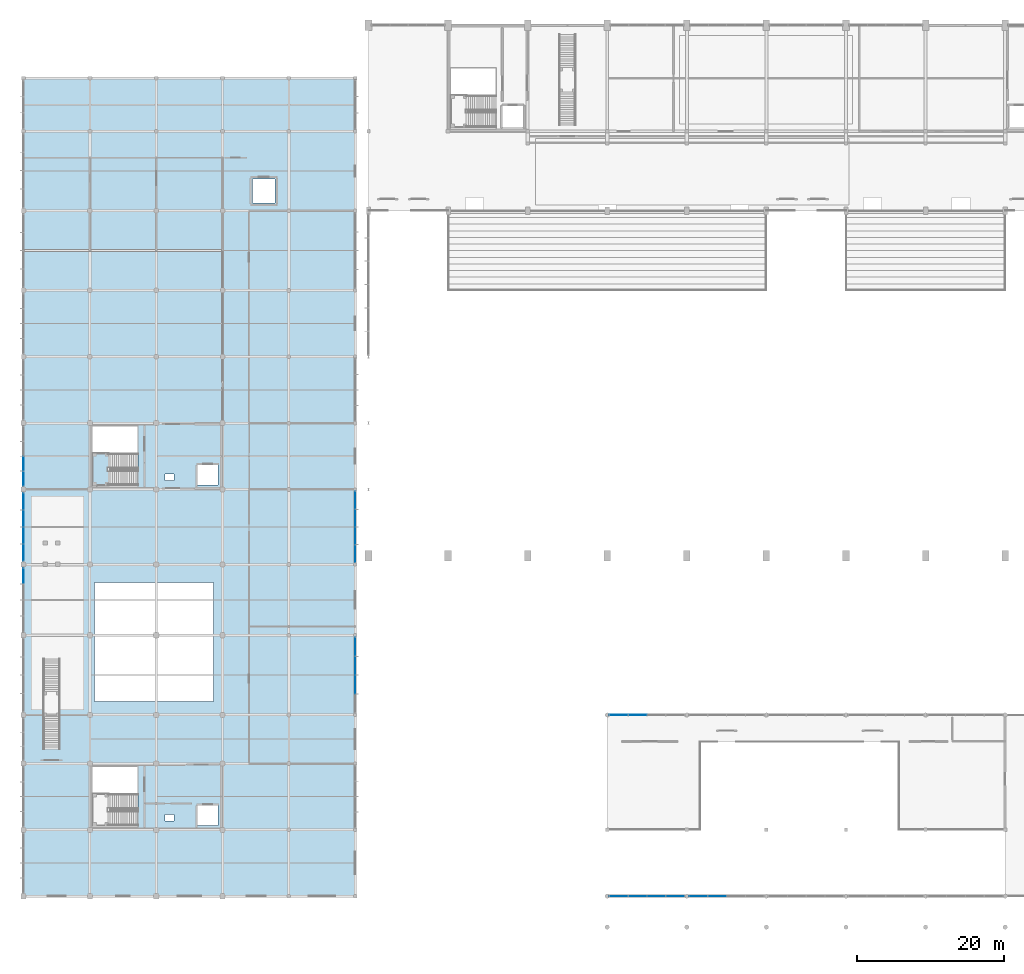
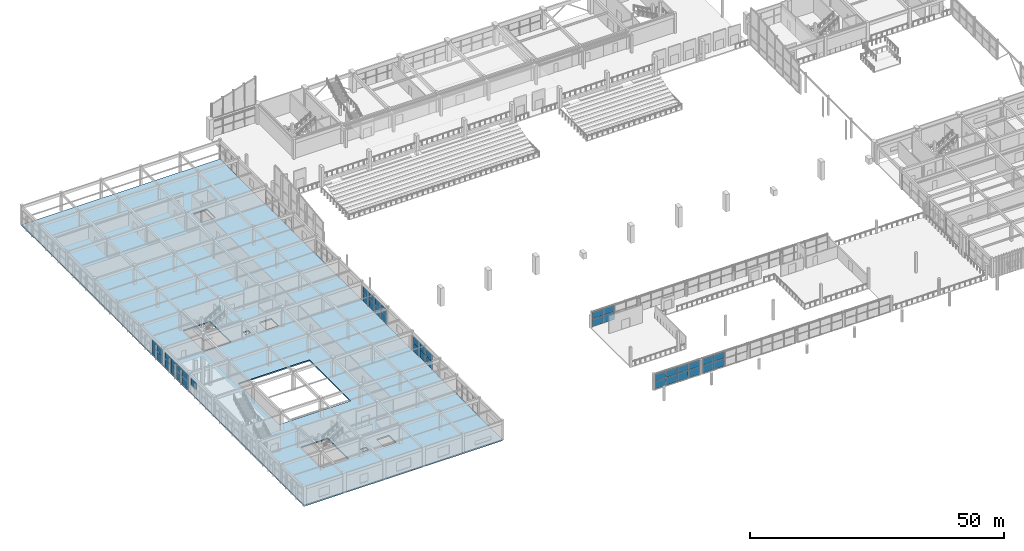
# One storey, part 39 of 74: 43 plates, 2 slabs, 9 elements without a shape of their own.
"""IFC4 building model written with IfcOpenShell, lengths in metres."""

from ifc_helpers import new_model, si_unit, direction, frame, origin, place, context, subcontext, project, spatial, polyline, outline, extrude, material, layer, layer_set, type_object, element, aggregate, save


model = new_model("IFC4")

# Units and contexts
model_context = context("Model", 3, precision=1e-05, world=origin(), true_north=direction((0.0, 1.0)))
body_context = subcontext(model_context, "Body", "Model", "MODEL_VIEW")
ifc_project = project(units=[si_unit("LENGTHUNIT", "METRE"), si_unit("AREAUNIT", "SQUARE_METRE"), si_unit("VOLUMEUNIT", "CUBIC_METRE"), si_unit("PLANEANGLEUNIT", "RADIAN"), si_unit("MASSUNIT", "GRAM", prefix="KILO")], contexts=[model_context])

# Site, building, storey
site_placement = place(None, origin())
site = spatial("IfcSite", under=ifc_project, at=site_placement, CompositionType="ELEMENT")
building_placement = place(site_placement, origin())
building = spatial("IfcBuilding", under=site, at=building_placement, Name="Suirenkawa Promenade Aquatics Centre", CompositionType="ELEMENT")
storey_placement = place(building_placement, frame((0.0, 0.0, 4.800048828125)))
storey = spatial("IfcBuildingStorey", under=building, at=storey_placement, Name="L01", CompositionType="ELEMENT", Elevation=4.800048828125)

# Curtain wall, plates
ifc_material_1 = material(Name="Anodised aluminium 6063-T6", Category="aluminium")
curtain_wall_type_1 = type_object("IfcCurtainWallType", Name="CWAT-V3SL1-24", PredefinedType="NOTDEFINED", material=ifc_material_1)
curtain_wall_1_placement = place(storey_placement, origin())
curtain_wall_1 = element("IfcCurtainWall", 1, at=curtain_wall_1_placement, inside=storey, type_object=curtain_wall_type_1, Name="Curtain wall CWA-24 CW-054", PredefinedType="NOTDEFINED")
ifc_material_2 = material(Name="Low-E thermally broken double glazing", Category="glass")
ifc_layer_1 = layer(ifc_material_2, 0.0419921875, Name="Low-E thermally broken double glazing", Category="glass")
ifc_layer_set_1 = layer_set([ifc_layer_1], Name="Low-E thermally broken double glazing")
plate_type_1 = type_object("IfcPlateType", Name="CWP-FOYER-42", PredefinedType="CURTAIN_PANEL", material=ifc_layer_set_1)
plate_1_placement = place(storey_placement, frame((89.700927734375, 4.199951171875, 0.0400390625), z_axis=(0.0, 0.0, 1.0), x_axis=(-1.0, 0.0, 0.0)))
plate_1 = element("IfcPlate", 2, at=plate_1_placement, type_object=plate_type_1, Name="Glazed panel CP-04 CWP-01071", PredefinedType="CURTAIN_PANEL", context=body_context, shape_type="SweptSolid", body=[
    extrude(outline(polyline([(0.0400390625, 0.0), (2.510498046875, 0.0), (2.510498046875, 1.81982421875), (0.0400390625, 1.81982421875), (0.0400390625, 0.0)])), frame((0.0, 0.02099609375, 0.0), z_axis=(0.0, -1.0, 0.0), x_axis=(1.0, 0.0, 0.0)), (0.0, 0.0, 1.0), 0.0419921875),
])
plate_2_placement = place(storey_placement, frame((89.700927734375, 4.199951171875, 1.93994140625), z_axis=(0.0, 0.0, 1.0), x_axis=(-1.0, 0.0, 0.0)))
plate_2 = element("IfcPlate", 3, at=plate_2_placement, type_object=plate_type_1, Name="Top glazed panel CP-04 CWP-01072", PredefinedType="CURTAIN_PANEL", context=body_context, shape_type="SweptSolid", body=[
    extrude(outline(polyline([(0.0400390625, 0.0), (2.510498046875, 0.0), (2.510498046875, 1.5400390625), (0.0400390625, 1.5400390625), (0.0400390625, 0.0)])), frame((0.0, 0.02099609375, 0.0), z_axis=(0.0, -1.0, 0.0), x_axis=(1.0, 0.0, 0.0)), (0.0, 0.0, 1.0), 0.0419921875),
])
plate_3_placement = place(storey_placement, frame((87.150390625, 4.199951171875, 0.0400390625), z_axis=(0.0, 0.0, 1.0), x_axis=(-1.0, 0.0, 0.0)))
plate_3 = element("IfcPlate", 4, at=plate_3_placement, type_object=plate_type_1, Name="Glazed panel CP-04 CWP-01073", PredefinedType="CURTAIN_PANEL", context=body_context, shape_type="SweptSolid", body=[
    extrude(outline(polyline([(0.0400390625, 0.0), (2.510498046875, 0.0), (2.510498046875, 1.81982421875), (0.0400390625, 1.81982421875), (0.0400390625, 0.0)])), frame((0.0, 0.02099609375, 0.0), z_axis=(0.0, -1.0, 0.0), x_axis=(1.0, 0.0, 0.0)), (0.0, 0.0, 1.0), 0.0419921875),
])
plate_4_placement = place(storey_placement, frame((87.150390625, 4.199951171875, 1.93994140625), z_axis=(0.0, 0.0, 1.0), x_axis=(-1.0, 0.0, 0.0)))
plate_4 = element("IfcPlate", 5, at=plate_4_placement, type_object=plate_type_1, Name="Top glazed panel CP-04 CWP-01074", PredefinedType="CURTAIN_PANEL", context=body_context, shape_type="SweptSolid", body=[
    extrude(outline(polyline([(0.0400390625, 0.0), (2.510498046875, 0.0), (2.510498046875, 1.5400390625), (0.0400390625, 1.5400390625), (0.0400390625, 0.0)])), frame((0.0, 0.02099609375, 0.0), z_axis=(0.0, -1.0, 0.0), x_axis=(1.0, 0.0, 0.0)), (0.0, 0.0, 1.0), 0.0419921875),
])
plate_5_placement = place(storey_placement, frame((84.60009765625, 4.199951171875, 0.0400390625), z_axis=(0.0, 0.0, 1.0), x_axis=(-1.0, 0.0, 0.0)))
plate_5 = element("IfcPlate", 6, at=plate_5_placement, type_object=plate_type_1, Name="Glazed panel CP-04 CWP-01075", PredefinedType="CURTAIN_PANEL", context=body_context, shape_type="SweptSolid", body=[
    extrude(outline(polyline([(0.0400390625, 0.0), (2.510498046875, 0.0), (2.510498046875, 1.81982421875), (0.0400390625, 1.81982421875), (0.0400390625, 0.0)])), frame((0.0, 0.02099609375, 0.0), z_axis=(0.0, -1.0, 0.0), x_axis=(1.0, 0.0, 0.0)), (0.0, 0.0, 1.0), 0.0419921875),
])
plate_6_placement = place(storey_placement, frame((84.60009765625, 4.199951171875, 1.93994140625), z_axis=(0.0, 0.0, 1.0), x_axis=(-1.0, 0.0, 0.0)))
plate_6 = element("IfcPlate", 7, at=plate_6_placement, type_object=plate_type_1, Name="Top glazed panel CP-04 CWP-01076", PredefinedType="CURTAIN_PANEL", context=body_context, shape_type="SweptSolid", body=[
    extrude(outline(polyline([(0.0400390625, 0.0), (2.510498046875, 0.0), (2.510498046875, 1.5400390625), (0.0400390625, 1.5400390625), (0.0400390625, 0.0)])), frame((0.0, 0.02099609375, 0.0), z_axis=(0.0, -1.0, 0.0), x_axis=(1.0, 0.0, 0.0)), (0.0, 0.0, 1.0), 0.0419921875),
])
plate_7_placement = place(storey_placement, frame((82.049560546875, 4.199951171875, 0.0400390625), z_axis=(0.0, 0.0, 1.0), x_axis=(-1.0, 0.0, 0.0)))
plate_7 = element("IfcPlate", 8, at=plate_7_placement, type_object=plate_type_1, Name="Glazed panel CP-04 CWP-01077", PredefinedType="CURTAIN_PANEL", context=body_context, shape_type="SweptSolid", body=[
    extrude(outline(polyline([(0.0400390625, 0.0), (2.510498046875, 0.0), (2.510498046875, 1.81982421875), (0.0400390625, 1.81982421875), (0.0400390625, 0.0)])), frame((0.0, 0.02099609375, 0.0), z_axis=(0.0, -1.0, 0.0), x_axis=(1.0, 0.0, 0.0)), (0.0, 0.0, 1.0), 0.0419921875),
])
plate_8_placement = place(storey_placement, frame((82.049560546875, 4.199951171875, 1.93994140625), z_axis=(0.0, 0.0, 1.0), x_axis=(-1.0, 0.0, 0.0)))
plate_8 = element("IfcPlate", 9, at=plate_8_placement, type_object=plate_type_1, Name="Top glazed panel CP-04 CWP-01078", PredefinedType="CURTAIN_PANEL", context=body_context, shape_type="SweptSolid", body=[
    extrude(outline(polyline([(0.0400390625, 0.0), (2.510498046875, 0.0), (2.510498046875, 1.5400390625), (0.0400390625, 1.5400390625), (0.0400390625, 0.0)])), frame((0.0, 0.02099609375, 0.0), z_axis=(0.0, -1.0, 0.0), x_axis=(1.0, 0.0, 0.0)), (0.0, 0.0, 1.0), 0.0419921875),
])
aggregate(curtain_wall_1, [plate_1, plate_2, plate_3, plate_4, plate_5, plate_6, plate_7, plate_8])

curtain_wall_type_2 = type_object("IfcCurtainWallType", Name="CWAT-V3NL1-25", PredefinedType="NOTDEFINED", material=ifc_material_1)
curtain_wall_2_placement = place(storey_placement, origin())
curtain_wall_2 = element("IfcCurtainWall", 10, at=curtain_wall_2_placement, inside=storey, type_object=curtain_wall_type_2, Name="Curtain wall CWA-25 CW-055", PredefinedType="NOTDEFINED")
plate_9_placement = place(storey_placement, frame((79.4990234375, 28.800048828125, 0.0400390625), z_axis=(0.0, 0.0, 1.0), x_axis=(1.0, 0.0, 0.0)))
plate_9 = element("IfcPlate", 11, at=plate_9_placement, type_object=plate_type_1, Name="Glazed panel CP-04 CWP-01093", PredefinedType="CURTAIN_PANEL", context=body_context, shape_type="SweptSolid", body=[
    extrude(outline(polyline([(0.0400390625, 0.0), (2.510498046875, 0.0), (2.510498046875, 1.81982421875), (0.0400390625, 1.81982421875), (0.0400390625, 0.0)])), frame((0.0, 0.02099609375, 0.0), z_axis=(0.0, -1.0, 0.0), x_axis=(1.0, 0.0, 0.0)), (0.0, 0.0, 1.0), 0.0419921875),
])
plate_10_placement = place(storey_placement, frame((79.4990234375, 28.800048828125, 1.93994140625), z_axis=(0.0, 0.0, 1.0), x_axis=(1.0, 0.0, 0.0)))
plate_10 = element("IfcPlate", 12, at=plate_10_placement, type_object=plate_type_1, Name="Top glazed panel CP-04 CWP-01094", PredefinedType="CURTAIN_PANEL", context=body_context, shape_type="SweptSolid", body=[
    extrude(outline(polyline([(0.0400390625, 0.0), (2.510498046875, 0.0), (2.510498046875, 1.5400390625), (0.0400390625, 1.5400390625), (0.0400390625, 0.0)])), frame((0.0, 0.02099609375, 0.0), z_axis=(0.0, -1.0, 0.0), x_axis=(1.0, 0.0, 0.0)), (0.0, 0.0, 1.0), 0.0419921875),
])
plate_11_placement = place(storey_placement, frame((82.049560546875, 28.800048828125, 0.0400390625), z_axis=(0.0, 0.0, 1.0), x_axis=(1.0, 0.0, 0.0)))
plate_11 = element("IfcPlate", 13, at=plate_11_placement, type_object=plate_type_1, Name="Glazed panel CP-04 CWP-01095", PredefinedType="CURTAIN_PANEL", context=body_context, shape_type="SweptSolid", body=[
    extrude(outline(polyline([(0.0400390625, 0.0), (2.510498046875, 0.0), (2.510498046875, 1.81982421875), (0.0400390625, 1.81982421875), (0.0400390625, 0.0)])), frame((0.0, 0.02099609375, 0.0), z_axis=(0.0, -1.0, 0.0), x_axis=(1.0, 0.0, 0.0)), (0.0, 0.0, 1.0), 0.0419921875),
])
plate_12_placement = place(storey_placement, frame((82.049560546875, 28.800048828125, 1.93994140625), z_axis=(0.0, 0.0, 1.0), x_axis=(1.0, 0.0, 0.0)))
plate_12 = element("IfcPlate", 14, at=plate_12_placement, type_object=plate_type_1, Name="Top glazed panel CP-04 CWP-01096", PredefinedType="CURTAIN_PANEL", context=body_context, shape_type="SweptSolid", body=[
    extrude(outline(polyline([(0.0400390625, 0.0), (2.510498046875, 0.0), (2.510498046875, 1.5400390625), (0.0400390625, 1.5400390625), (0.0400390625, 0.0)])), frame((0.0, 0.02099609375, 0.0), z_axis=(0.0, -1.0, 0.0), x_axis=(1.0, 0.0, 0.0)), (0.0, 0.0, 1.0), 0.0419921875),
])
aggregate(curtain_wall_2, [plate_9, plate_10, plate_11, plate_12])

curtain_wall_3_placement = place(storey_placement, origin())
curtain_wall_3 = element("IfcCurtainWall", 15, at=curtain_wall_3_placement, inside=storey, type_object=curtain_wall_type_1, Name="Curtain wall CWA-24 CW-056", PredefinedType="NOTDEFINED")
plate_13_placement = place(storey_placement, frame((95.39990234375, 4.199951171875, 0.0400390625), z_axis=(0.0, 0.0, 1.0), x_axis=(-1.0, 0.0, 0.0)))
plate_13 = element("IfcPlate", 16, at=plate_13_placement, type_object=plate_type_1, Name="Glazed panel CP-04 CWP-01119", PredefinedType="CURTAIN_PANEL", context=body_context, shape_type="SweptSolid", body=[
    extrude(outline(polyline([(0.0400390625, 0.0), (2.510498046875, 0.0), (2.510498046875, 1.81982421875), (0.0400390625, 1.81982421875), (0.0400390625, 0.0)])), frame((0.0, 0.02099609375, 0.0), z_axis=(0.0, -1.0, 0.0), x_axis=(1.0, 0.0, 0.0)), (0.0, 0.0, 1.0), 0.0419921875),
])
plate_14_placement = place(storey_placement, frame((95.39990234375, 4.199951171875, 1.93994140625), z_axis=(0.0, 0.0, 1.0), x_axis=(-1.0, 0.0, 0.0)))
plate_14 = element("IfcPlate", 17, at=plate_14_placement, type_object=plate_type_1, Name="Top glazed panel CP-04 CWP-01120", PredefinedType="CURTAIN_PANEL", context=body_context, shape_type="SweptSolid", body=[
    extrude(outline(polyline([(0.0400390625, 0.0), (2.510498046875, 0.0), (2.510498046875, 1.5400390625), (0.0400390625, 1.5400390625), (0.0400390625, 0.0)])), frame((0.0, 0.02099609375, 0.0), z_axis=(0.0, -1.0, 0.0), x_axis=(1.0, 0.0, 0.0)), (0.0, 0.0, 1.0), 0.0419921875),
])
plate_15_placement = place(storey_placement, frame((92.849609375, 4.199951171875, 0.0400390625), z_axis=(0.0, 0.0, 1.0), x_axis=(-1.0, 0.0, 0.0)))
plate_15 = element("IfcPlate", 18, at=plate_15_placement, type_object=plate_type_1, Name="Glazed panel CP-04 CWP-01121", PredefinedType="CURTAIN_PANEL", context=body_context, shape_type="SweptSolid", body=[
    extrude(outline(polyline([(0.0400390625, 0.0), (2.510498046875, 0.0), (2.510498046875, 1.81982421875), (0.0400390625, 1.81982421875), (0.0400390625, 0.0)])), frame((0.0, 0.02099609375, 0.0), z_axis=(0.0, -1.0, 0.0), x_axis=(1.0, 0.0, 0.0)), (0.0, 0.0, 1.0), 0.0419921875),
])
plate_16_placement = place(storey_placement, frame((92.849609375, 4.199951171875, 1.93994140625), z_axis=(0.0, 0.0, 1.0), x_axis=(-1.0, 0.0, 0.0)))
plate_16 = element("IfcPlate", 19, at=plate_16_placement, type_object=plate_type_1, Name="Top glazed panel CP-04 CWP-01122", PredefinedType="CURTAIN_PANEL", context=body_context, shape_type="SweptSolid", body=[
    extrude(outline(polyline([(0.0400390625, 0.0), (2.510498046875, 0.0), (2.510498046875, 1.5400390625), (0.0400390625, 1.5400390625), (0.0400390625, 0.0)])), frame((0.0, 0.02099609375, 0.0), z_axis=(0.0, -1.0, 0.0), x_axis=(1.0, 0.0, 0.0)), (0.0, 0.0, 1.0), 0.0419921875),
])
aggregate(curtain_wall_3, [plate_13, plate_14, plate_15, plate_16])

curtain_wall_type_3 = type_object("IfcCurtainWallType", Name="CWAT-V5EL01-53", PredefinedType="NOTDEFINED", material=ifc_material_1)
curtain_wall_4_placement = place(storey_placement, origin())
curtain_wall_4 = element("IfcCurtainWall", 20, at=curtain_wall_4_placement, inside=storey, type_object=curtain_wall_type_3, Name="Curtain wall CWA-53 CW-100", PredefinedType="NOTDEFINED")
ifc_layer_2 = layer(ifc_material_2, 0.028076171875, Name="Low-E thermally broken double glazing", Category="glass")
ifc_layer_set_2 = layer_set([ifc_layer_2], Name="Low-E thermally broken double glazing")
plate_type_2 = type_object("IfcPlateType", Name="CWP-LOWE-28", PredefinedType="CURTAIN_PANEL", material=ifc_layer_set_2)
plate_17_placement = place(storey_placement, frame((45.0, 39.301025390625, 0.0400390625), z_axis=(0.0, 0.0, 1.0), x_axis=(0.0, -1.0, 0.0)))
plate_17 = element("IfcPlate", 21, at=plate_17_placement, type_object=plate_type_2, Name="Glazed panel CP-02 CWP-02003", PredefinedType="CURTAIN_PANEL", context=body_context, shape_type="SweptSolid", body=[
    extrude(outline(polyline([(0.0400390625, 0.0), (2.510498046875, 0.0), (2.510498046875, 1.869873046875), (0.0400390625, 1.869873046875), (0.0400390625, 0.0)])), frame((0.0, 0.01416015625, 0.0), z_axis=(0.0, -1.0, 0.0), x_axis=(1.0, 0.0, 0.0)), (0.0, 0.0, 1.0), 0.028076171875),
])
plate_18_placement = place(storey_placement, frame((45.0, 39.301025390625, 1.989990234375), z_axis=(0.0, 0.0, 1.0), x_axis=(0.0, -1.0, 0.0)))
plate_18 = element("IfcPlate", 22, at=plate_18_placement, type_object=plate_type_2, Name="Top glazed panel CP-02 CWP-02004", PredefinedType="CURTAIN_PANEL", context=body_context, shape_type="SweptSolid", body=[
    extrude(outline(polyline([(0.0400390625, 0.0), (2.510498046875, 0.0), (2.510498046875, 1.5400390625), (0.0400390625, 1.5400390625), (0.0400390625, 0.0)])), frame((0.0, 0.01416015625, 0.0), z_axis=(0.0, -1.0, 0.0), x_axis=(1.0, 0.0, 0.0)), (0.0, 0.0, 1.0), 0.028076171875),
])
plate_19_placement = place(storey_placement, frame((45.0, 36.75048828125, 0.0400390625), z_axis=(0.0, 0.0, 1.0), x_axis=(0.0, -1.0, 0.0)))
plate_19 = element("IfcPlate", 23, at=plate_19_placement, type_object=plate_type_2, Name="Glazed panel CP-02 CWP-02005", PredefinedType="CURTAIN_PANEL", context=body_context, shape_type="SweptSolid", body=[
    extrude(outline(polyline([(0.0400390625, 0.0), (2.510498046875, 0.0), (2.510498046875, 1.869873046875), (0.0400390625, 1.869873046875), (0.0400390625, 0.0)])), frame((0.0, 0.01416015625, 0.0), z_axis=(0.0, -1.0, 0.0), x_axis=(1.0, 0.0, 0.0)), (0.0, 0.0, 1.0), 0.028076171875),
])
plate_20_placement = place(storey_placement, frame((45.0, 36.75048828125, 1.989990234375), z_axis=(0.0, 0.0, 1.0), x_axis=(0.0, -1.0, 0.0)))
plate_20 = element("IfcPlate", 24, at=plate_20_placement, type_object=plate_type_2, Name="Top glazed panel CP-02 CWP-02006", PredefinedType="CURTAIN_PANEL", context=body_context, shape_type="SweptSolid", body=[
    extrude(outline(polyline([(0.0400390625, 0.0), (2.510498046875, 0.0), (2.510498046875, 1.5400390625), (0.0400390625, 1.5400390625), (0.0400390625, 0.0)])), frame((0.0, 0.01416015625, 0.0), z_axis=(0.0, -1.0, 0.0), x_axis=(1.0, 0.0, 0.0)), (0.0, 0.0, 1.0), 0.028076171875),
])
plate_21_placement = place(storey_placement, frame((45.0, 34.199951171875, 0.0400390625), z_axis=(0.0, 0.0, 1.0), x_axis=(0.0, -1.0, 0.0)))
plate_21 = element("IfcPlate", 25, at=plate_21_placement, type_object=plate_type_2, Name="Glazed panel CP-02 CWP-02007", PredefinedType="CURTAIN_PANEL", context=body_context, shape_type="SweptSolid", body=[
    extrude(outline(polyline([(0.0400390625, 0.0), (2.510498046875, 0.0), (2.510498046875, 1.869873046875), (0.0400390625, 1.869873046875), (0.0400390625, 0.0)])), frame((0.0, 0.01416015625, 0.0), z_axis=(0.0, -1.0, 0.0), x_axis=(1.0, 0.0, 0.0)), (0.0, 0.0, 1.0), 0.028076171875),
])
plate_22_placement = place(storey_placement, frame((45.0, 34.199951171875, 1.989990234375), z_axis=(0.0, 0.0, 1.0), x_axis=(0.0, -1.0, 0.0)))
plate_22 = element("IfcPlate", 26, at=plate_22_placement, type_object=plate_type_2, Name="Top glazed panel CP-02 CWP-02008", PredefinedType="CURTAIN_PANEL", context=body_context, shape_type="SweptSolid", body=[
    extrude(outline(polyline([(0.0400390625, 0.0), (2.510498046875, 0.0), (2.510498046875, 1.5400390625), (0.0400390625, 1.5400390625), (0.0400390625, 0.0)])), frame((0.0, 0.01416015625, 0.0), z_axis=(0.0, -1.0, 0.0), x_axis=(1.0, 0.0, 0.0)), (0.0, 0.0, 1.0), 0.028076171875),
])
aggregate(curtain_wall_4, [plate_17, plate_18, plate_19, plate_20, plate_21, plate_22])

curtain_wall_type_4 = type_object("IfcCurtainWallType", Name="CWAT-V5EL01-56", PredefinedType="NOTDEFINED", material=ifc_material_1)
curtain_wall_5_placement = place(storey_placement, origin())
curtain_wall_5 = element("IfcCurtainWall", 27, at=curtain_wall_5_placement, inside=storey, type_object=curtain_wall_type_4, Name="Curtain wall CWA-56 CW-103", PredefinedType="NOTDEFINED")
plate_23_placement = place(storey_placement, frame((45.0, 59.10107421875, 0.0400390625), z_axis=(0.0, 0.0, 1.0), x_axis=(0.0, -1.0, 0.0)))
plate_23 = element("IfcPlate", 28, at=plate_23_placement, type_object=plate_type_2, Name="Glazed panel CP-02 CWP-02069", PredefinedType="CURTAIN_PANEL", context=body_context, shape_type="SweptSolid", body=[
    extrude(outline(polyline([(0.0400390625, 0.0), (2.360595703125, 0.0), (2.360595703125, 1.869873046875), (0.0400390625, 1.869873046875), (0.0400390625, 0.0)])), frame((0.0, 0.01416015625, 0.0), z_axis=(0.0, -1.0, 0.0), x_axis=(1.0, 0.0, 0.0)), (0.0, 0.0, 1.0), 0.028076171875),
])
plate_24_placement = place(storey_placement, frame((45.0, 59.10107421875, 1.989990234375), z_axis=(0.0, 0.0, 1.0), x_axis=(0.0, -1.0, 0.0)))
plate_24 = element("IfcPlate", 29, at=plate_24_placement, type_object=plate_type_2, Name="Top glazed panel CP-02 CWP-02070", PredefinedType="CURTAIN_PANEL", context=body_context, shape_type="SweptSolid", body=[
    extrude(outline(polyline([(0.0400390625, 0.0), (2.360595703125, 0.0), (2.360595703125, 1.5400390625), (0.0400390625, 1.5400390625), (0.0400390625, 0.0)])), frame((0.0, 0.01416015625, 0.0), z_axis=(0.0, -1.0, 0.0), x_axis=(1.0, 0.0, 0.0)), (0.0, 0.0, 1.0), 0.028076171875),
])
plate_25_placement = place(storey_placement, frame((45.0, 56.700439453125, 0.0400390625), z_axis=(0.0, 0.0, 1.0), x_axis=(0.0, -1.0, 0.0)))
plate_25 = element("IfcPlate", 30, at=plate_25_placement, type_object=plate_type_2, Name="Glazed panel CP-02 CWP-02071", PredefinedType="CURTAIN_PANEL", context=body_context, shape_type="SweptSolid", body=[
    extrude(outline(polyline([(0.0400390625, 0.0), (2.360595703125, 0.0), (2.360595703125, 1.869873046875), (0.0400390625, 1.869873046875), (0.0400390625, 0.0)])), frame((0.0, 0.01416015625, 0.0), z_axis=(0.0, -1.0, 0.0), x_axis=(1.0, 0.0, 0.0)), (0.0, 0.0, 1.0), 0.028076171875),
])
plate_26_placement = place(storey_placement, frame((45.0, 56.700439453125, 1.989990234375), z_axis=(0.0, 0.0, 1.0), x_axis=(0.0, -1.0, 0.0)))
plate_26 = element("IfcPlate", 31, at=plate_26_placement, type_object=plate_type_2, Name="Top glazed panel CP-02 CWP-02072", PredefinedType="CURTAIN_PANEL", context=body_context, shape_type="SweptSolid", body=[
    extrude(outline(polyline([(0.0400390625, 0.0), (2.360595703125, 0.0), (2.360595703125, 1.5400390625), (0.0400390625, 1.5400390625), (0.0400390625, 0.0)])), frame((0.0, 0.01416015625, 0.0), z_axis=(0.0, -1.0, 0.0), x_axis=(1.0, 0.0, 0.0)), (0.0, 0.0, 1.0), 0.028076171875),
])
plate_27_placement = place(storey_placement, frame((45.0, 54.300048828125, 0.0400390625), z_axis=(0.0, 0.0, 1.0), x_axis=(0.0, -1.0, 0.0)))
plate_27 = element("IfcPlate", 32, at=plate_27_placement, type_object=plate_type_2, Name="Glazed panel CP-02 CWP-02073", PredefinedType="CURTAIN_PANEL", context=body_context, shape_type="SweptSolid", body=[
    extrude(outline(polyline([(0.0400390625, 0.0), (2.360595703125, 0.0), (2.360595703125, 1.869873046875), (0.0400390625, 1.869873046875), (0.0400390625, 0.0)])), frame((0.0, 0.01416015625, 0.0), z_axis=(0.0, -1.0, 0.0), x_axis=(1.0, 0.0, 0.0)), (0.0, 0.0, 1.0), 0.028076171875),
])
plate_28_placement = place(storey_placement, frame((45.0, 54.300048828125, 1.989990234375), z_axis=(0.0, 0.0, 1.0), x_axis=(0.0, -1.0, 0.0)))
plate_28 = element("IfcPlate", 33, at=plate_28_placement, type_object=plate_type_2, Name="Top glazed panel CP-02 CWP-02074", PredefinedType="CURTAIN_PANEL", context=body_context, shape_type="SweptSolid", body=[
    extrude(outline(polyline([(0.0400390625, 0.0), (2.360595703125, 0.0), (2.360595703125, 1.5400390625), (0.0400390625, 1.5400390625), (0.0400390625, 0.0)])), frame((0.0, 0.01416015625, 0.0), z_axis=(0.0, -1.0, 0.0), x_axis=(1.0, 0.0, 0.0)), (0.0, 0.0, 1.0), 0.028076171875),
])
plate_29_placement = place(storey_placement, frame((45.0, 51.8994140625, 0.0400390625), z_axis=(0.0, 0.0, 1.0), x_axis=(0.0, -1.0, 0.0)))
plate_29 = element("IfcPlate", 34, at=plate_29_placement, type_object=plate_type_2, Name="Glazed panel CP-02 CWP-02075", PredefinedType="CURTAIN_PANEL", context=body_context, shape_type="SweptSolid", body=[
    extrude(outline(polyline([(0.0400390625, 0.0), (2.360595703125, 0.0), (2.360595703125, 1.869873046875), (0.0400390625, 1.869873046875), (0.0400390625, 0.0)])), frame((0.0, 0.01416015625, 0.0), z_axis=(0.0, -1.0, 0.0), x_axis=(1.0, 0.0, 0.0)), (0.0, 0.0, 1.0), 0.028076171875),
])
plate_30_placement = place(storey_placement, frame((45.0, 51.8994140625, 1.989990234375), z_axis=(0.0, 0.0, 1.0), x_axis=(0.0, -1.0, 0.0)))
plate_30 = element("IfcPlate", 35, at=plate_30_placement, type_object=plate_type_2, Name="Top glazed panel CP-02 CWP-02076", PredefinedType="CURTAIN_PANEL", context=body_context, shape_type="SweptSolid", body=[
    extrude(outline(polyline([(0.0400390625, 0.0), (2.360595703125, 0.0), (2.360595703125, 1.5400390625), (0.0400390625, 1.5400390625), (0.0400390625, 0.0)])), frame((0.0, 0.01416015625, 0.0), z_axis=(0.0, -1.0, 0.0), x_axis=(1.0, 0.0, 0.0)), (0.0, 0.0, 1.0), 0.028076171875),
])
aggregate(curtain_wall_5, [plate_23, plate_24, plate_25, plate_26, plate_27, plate_28, plate_29, plate_30])

# Curtain wall, plate
curtain_wall_type_5 = type_object("IfcCurtainWallType", Name="CWAT-V5WL01-54", PredefinedType="NOTDEFINED", material=ifc_material_1)
curtain_wall_6_placement = place(storey_placement, origin())
curtain_wall_6 = element("IfcCurtainWall", 36, at=curtain_wall_6_placement, inside=storey, type_object=curtain_wall_type_5, Name="Curtain wall CWA-54 CW-101", PredefinedType="NOTDEFINED")
ifc_material_3 = material(Name="Ceramic-fritted low-SHGC double glazing", Category="glass")
ifc_layer_3 = layer(ifc_material_3, 0.035888671875, Name="Ceramic-fritted low-SHGC double glazing", Category="glass")
ifc_layer_set_3 = layer_set([ifc_layer_3], Name="Ceramic-fritted low-SHGC double glazing")
plate_type_3 = type_object("IfcPlateType", Name="CWP-SHOJI-36", PredefinedType="CURTAIN_PANEL", material=ifc_layer_set_3)
plate_31_placement = place(storey_placement, frame((0.0, 46.575439453125, 1.989990234375), z_axis=(0.0, 0.0, 1.0), x_axis=(0.0, 1.0, 0.0)))
plate_31 = element("IfcPlate", 37, at=plate_31_placement, type_object=plate_type_3, Name="Top glazed panel CP-01 CWP-02032", PredefinedType="CURTAIN_PANEL", context=body_context, shape_type="SweptSolid", body=[
    extrude(outline(polyline([(0.0400390625, 0.0), (2.135498046875, 0.0), (2.135498046875, 1.5400390625), (0.0400390625, 1.5400390625), (0.0400390625, 0.0)])), frame((0.0, 0.01806640625, 0.0), z_axis=(0.0, -1.0, 0.0), x_axis=(1.0, 0.0, 0.0)), (0.0, 0.0, 1.0), 0.035888671875),
])
aggregate(curtain_wall_6, [plate_31])

# Curtain wall, plates
curtain_wall_type_6 = type_object("IfcCurtainWallType", Name="CWAT-V5WL01-55", PredefinedType="NOTDEFINED", material=ifc_material_1)
curtain_wall_7_placement = place(storey_placement, origin())
curtain_wall_7 = element("IfcCurtainWall", 38, at=curtain_wall_7_placement, inside=storey, type_object=curtain_wall_type_6, Name="Curtain wall CWA-55 CW-102", PredefinedType="NOTDEFINED")
plate_32_placement = place(storey_placement, frame((0.0, 49.64892578125, 0.0400390625), z_axis=(0.0, 0.0, 1.0), x_axis=(0.0, 1.0, 0.0)))
plate_32 = element("IfcPlate", 39, at=plate_32_placement, type_object=plate_type_3, Name="Glazed panel CP-01 CWP-02047", PredefinedType="CURTAIN_PANEL", context=body_context, shape_type="SweptSolid", body=[
    extrude(outline(polyline([(0.0400390625, 0.0), (2.285400390625, 0.0), (2.285400390625, 1.869873046875), (0.0400390625, 1.869873046875), (0.0400390625, 0.0)])), frame((0.0, 0.01806640625, 0.0), z_axis=(0.0, -1.0, 0.0), x_axis=(1.0, 0.0, 0.0)), (0.0, 0.0, 1.0), 0.035888671875),
])
plate_33_placement = place(storey_placement, frame((0.0, 49.64892578125, 1.989990234375), z_axis=(0.0, 0.0, 1.0), x_axis=(0.0, 1.0, 0.0)))
plate_33 = element("IfcPlate", 40, at=plate_33_placement, type_object=plate_type_3, Name="Top glazed panel CP-01 CWP-02048", PredefinedType="CURTAIN_PANEL", context=body_context, shape_type="SweptSolid", body=[
    extrude(outline(polyline([(0.0400390625, 0.0), (2.285400390625, 0.0), (2.285400390625, 1.5400390625), (0.0400390625, 1.5400390625), (0.0400390625, 0.0)])), frame((0.0, 0.01806640625, 0.0), z_axis=(0.0, -1.0, 0.0), x_axis=(1.0, 0.0, 0.0)), (0.0, 0.0, 1.0), 0.035888671875),
])
plate_34_placement = place(storey_placement, frame((0.0, 51.974609375, 0.0400390625), z_axis=(0.0, 0.0, 1.0), x_axis=(0.0, 1.0, 0.0)))
plate_34 = element("IfcPlate", 41, at=plate_34_placement, type_object=plate_type_3, Name="Glazed panel CP-01 CWP-02049", PredefinedType="CURTAIN_PANEL", context=body_context, shape_type="SweptSolid", body=[
    extrude(outline(polyline([(0.0400390625, 0.0), (2.285400390625, 0.0), (2.285400390625, 1.869873046875), (0.0400390625, 1.869873046875), (0.0400390625, 0.0)])), frame((0.0, 0.01806640625, 0.0), z_axis=(0.0, -1.0, 0.0), x_axis=(1.0, 0.0, 0.0)), (0.0, 0.0, 1.0), 0.035888671875),
])
plate_35_placement = place(storey_placement, frame((0.0, 51.974609375, 1.989990234375), z_axis=(0.0, 0.0, 1.0), x_axis=(0.0, 1.0, 0.0)))
plate_35 = element("IfcPlate", 42, at=plate_35_placement, type_object=plate_type_3, Name="Top glazed panel CP-01 CWP-02050", PredefinedType="CURTAIN_PANEL", context=body_context, shape_type="SweptSolid", body=[
    extrude(outline(polyline([(0.0400390625, 0.0), (2.285400390625, 0.0), (2.285400390625, 1.5400390625), (0.0400390625, 1.5400390625), (0.0400390625, 0.0)])), frame((0.0, 0.01806640625, 0.0), z_axis=(0.0, -1.0, 0.0), x_axis=(1.0, 0.0, 0.0)), (0.0, 0.0, 1.0), 0.035888671875),
])
plate_36_placement = place(storey_placement, frame((0.0, 54.300048828125, 0.0400390625), z_axis=(0.0, 0.0, 1.0), x_axis=(0.0, 1.0, 0.0)))
plate_36 = element("IfcPlate", 43, at=plate_36_placement, type_object=plate_type_3, Name="Glazed panel CP-01 CWP-02051", PredefinedType="CURTAIN_PANEL", context=body_context, shape_type="SweptSolid", body=[
    extrude(outline(polyline([(0.0400390625, 0.0), (2.285400390625, 0.0), (2.285400390625, 1.869873046875), (0.0400390625, 1.869873046875), (0.0400390625, 0.0)])), frame((0.0, 0.01806640625, 0.0), z_axis=(0.0, -1.0, 0.0), x_axis=(1.0, 0.0, 0.0)), (0.0, 0.0, 1.0), 0.035888671875),
])
plate_37_placement = place(storey_placement, frame((0.0, 54.300048828125, 1.989990234375), z_axis=(0.0, 0.0, 1.0), x_axis=(0.0, 1.0, 0.0)))
plate_37 = element("IfcPlate", 44, at=plate_37_placement, type_object=plate_type_3, Name="Top glazed panel CP-01 CWP-02052", PredefinedType="CURTAIN_PANEL", context=body_context, shape_type="SweptSolid", body=[
    extrude(outline(polyline([(0.0400390625, 0.0), (2.285400390625, 0.0), (2.285400390625, 1.5400390625), (0.0400390625, 1.5400390625), (0.0400390625, 0.0)])), frame((0.0, 0.01806640625, 0.0), z_axis=(0.0, -1.0, 0.0), x_axis=(1.0, 0.0, 0.0)), (0.0, 0.0, 1.0), 0.035888671875),
])
plate_38_placement = place(storey_placement, frame((0.0, 56.62548828125, 0.0400390625), z_axis=(0.0, 0.0, 1.0), x_axis=(0.0, 1.0, 0.0)))
plate_38 = element("IfcPlate", 45, at=plate_38_placement, type_object=plate_type_3, Name="Glazed panel CP-01 CWP-02053", PredefinedType="CURTAIN_PANEL", context=body_context, shape_type="SweptSolid", body=[
    extrude(outline(polyline([(0.0400390625, 0.0), (2.285400390625, 0.0), (2.285400390625, 1.869873046875), (0.0400390625, 1.869873046875), (0.0400390625, 0.0)])), frame((0.0, 0.01806640625, 0.0), z_axis=(0.0, -1.0, 0.0), x_axis=(1.0, 0.0, 0.0)), (0.0, 0.0, 1.0), 0.035888671875),
])
plate_39_placement = place(storey_placement, frame((0.0, 56.62548828125, 1.989990234375), z_axis=(0.0, 0.0, 1.0), x_axis=(0.0, 1.0, 0.0)))
plate_39 = element("IfcPlate", 46, at=plate_39_placement, type_object=plate_type_3, Name="Top glazed panel CP-01 CWP-02054", PredefinedType="CURTAIN_PANEL", context=body_context, shape_type="SweptSolid", body=[
    extrude(outline(polyline([(0.0400390625, 0.0), (2.285400390625, 0.0), (2.285400390625, 1.5400390625), (0.0400390625, 1.5400390625), (0.0400390625, 0.0)])), frame((0.0, 0.01806640625, 0.0), z_axis=(0.0, -1.0, 0.0), x_axis=(1.0, 0.0, 0.0)), (0.0, 0.0, 1.0), 0.035888671875),
])
aggregate(curtain_wall_7, [plate_32, plate_33, plate_34, plate_35, plate_36, plate_37, plate_38, plate_39])

curtain_wall_type_7 = type_object("IfcCurtainWallType", Name="CWAT-V5WL01-49", PredefinedType="NOTDEFINED", material=ifc_material_1)
curtain_wall_8_placement = place(storey_placement, origin())
curtain_wall_8 = element("IfcCurtainWall", 47, at=curtain_wall_8_placement, inside=storey, type_object=curtain_wall_type_7, Name="Curtain wall CWA-49 CW-104", PredefinedType="NOTDEFINED")
plate_40_placement = place(storey_placement, frame((0.0, 59.84912109375, 0.0400390625), z_axis=(0.0, 0.0, 1.0), x_axis=(0.0, 1.0, 0.0)))
plate_40 = element("IfcPlate", 48, at=plate_40_placement, type_object=plate_type_3, Name="Glazed panel CP-01 CWP-02091", PredefinedType="CURTAIN_PANEL", context=body_context, shape_type="SweptSolid", body=[
    extrude(outline(polyline([(0.0400390625, 0.0), (1.985595703125, 0.0), (1.985595703125, 1.869873046875), (0.0400390625, 1.869873046875), (0.0400390625, 0.0)])), frame((0.0, 0.01806640625, 0.0), z_axis=(0.0, -1.0, 0.0), x_axis=(1.0, 0.0, 0.0)), (0.0, 0.0, 1.0), 0.035888671875),
])
plate_41_placement = place(storey_placement, frame((0.0, 59.84912109375, 1.989990234375), z_axis=(0.0, 0.0, 1.0), x_axis=(0.0, 1.0, 0.0)))
plate_41 = element("IfcPlate", 49, at=plate_41_placement, type_object=plate_type_3, Name="Top glazed panel CP-01 CWP-02092", PredefinedType="CURTAIN_PANEL", context=body_context, shape_type="SweptSolid", body=[
    extrude(outline(polyline([(0.0400390625, 0.0), (1.985595703125, 0.0), (1.985595703125, 1.5400390625), (0.0400390625, 1.5400390625), (0.0400390625, 0.0)])), frame((0.0, 0.01806640625, 0.0), z_axis=(0.0, -1.0, 0.0), x_axis=(1.0, 0.0, 0.0)), (0.0, 0.0, 1.0), 0.035888671875),
])
plate_42_placement = place(storey_placement, frame((0.0, 61.87451171875, 0.0400390625), z_axis=(0.0, 0.0, 1.0), x_axis=(0.0, 1.0, 0.0)))
plate_42 = element("IfcPlate", 50, at=plate_42_placement, type_object=plate_type_3, Name="Glazed panel CP-01 CWP-02093", PredefinedType="CURTAIN_PANEL", context=body_context, shape_type="SweptSolid", body=[
    extrude(outline(polyline([(0.0400390625, 0.0), (1.985595703125, 0.0), (1.985595703125, 1.869873046875), (0.0400390625, 1.869873046875), (0.0400390625, 0.0)])), frame((0.0, 0.01806640625, 0.0), z_axis=(0.0, -1.0, 0.0), x_axis=(1.0, 0.0, 0.0)), (0.0, 0.0, 1.0), 0.035888671875),
])
plate_43_placement = place(storey_placement, frame((0.0, 61.87451171875, 1.989990234375), z_axis=(0.0, 0.0, 1.0), x_axis=(0.0, 1.0, 0.0)))
plate_43 = element("IfcPlate", 51, at=plate_43_placement, type_object=plate_type_3, Name="Top glazed panel CP-01 CWP-02094", PredefinedType="CURTAIN_PANEL", context=body_context, shape_type="SweptSolid", body=[
    extrude(outline(polyline([(0.0400390625, 0.0), (1.985595703125, 0.0), (1.985595703125, 1.5400390625), (0.0400390625, 1.5400390625), (0.0400390625, 0.0)])), frame((0.0, 0.01806640625, 0.0), z_axis=(0.0, -1.0, 0.0), x_axis=(1.0, 0.0, 0.0)), (0.0, 0.0, 1.0), 0.035888671875),
])
aggregate(curtain_wall_8, [plate_40, plate_41, plate_42, plate_43])

# Slab
ifc_material_4 = material(Name="Concrete M40", Category="concrete")
ifc_layer_4 = layer(ifc_material_4, 0.300048828125, Name="Concrete M40", Category="concrete")
ifc_layer_set_4 = layer_set([ifc_layer_4], Name="Concrete M40")
slab_type_1 = type_object("IfcSlabType", Name="SLT-DECK-300", PredefinedType="FLOOR", material=ifc_layer_set_4)
slab_1_placement = place(storey_placement, frame((0.0, 0.0, -0.300048828125)))
element("IfcSlab", 52, at=slab_1_placement, inside=storey, type_object=slab_type_1, Name="V5 L01 hydrotherapy floor slab SL-FLR-02 SL-0063", PredefinedType="FLOOR", context=body_context, shape_type="SweptSolid", body=[
    extrude(outline(polyline([(0.0, 4.199951171875), (45.0, 4.199951171875), (45.0, 115.199951171875), (0.0, 115.199951171875), (0.0, 4.199951171875)]), holes=[polyline([(9.60009765625, 30.60009765625), (25.800048828125, 30.60009765625), (25.800048828125, 46.800048828125), (9.60009765625, 46.800048828125), (9.60009765625, 30.60009765625)]), polyline([(9.360107421875, 13.56005859375), (15.5, 13.56005859375), (15.5, 21.760009765625), (9.360107421875, 21.760009765625), (9.360107421875, 13.56005859375)]), polyline([(23.60009765625, 13.800048828125), (26.39990234375, 13.800048828125), (26.39990234375, 16.60009765625), (23.60009765625, 16.60009765625), (23.60009765625, 13.800048828125)]), polyline([(9.360107421875, 59.760009765625), (15.5, 59.760009765625), (15.5, 67.9599609375), (9.360107421875, 67.9599609375), (9.360107421875, 59.760009765625)]), polyline([(23.60009765625, 60.0), (26.39990234375, 60.0), (26.39990234375, 62.800048828125), (23.60009765625, 62.800048828125), (23.60009765625, 60.0)]), polyline([(19.199951171875, 14.39990234375), (20.39990234375, 14.39990234375), (20.39990234375, 15.300048828125), (19.199951171875, 15.300048828125), (19.199951171875, 14.39990234375)]), polyline([(19.199951171875, 60.60009765625), (20.39990234375, 60.60009765625), (20.39990234375, 61.5), (19.199951171875, 61.5), (19.199951171875, 60.60009765625)]), polyline([(31.050048828125, 98.25), (34.14990234375, 98.25), (34.14990234375, 101.550048828125), (31.050048828125, 101.550048828125), (31.050048828125, 98.25)])]), origin(), (0.0, 0.0, 1.0), 0.300048828125),
])

# Stair, slab
stair_type = type_object("IfcStairType", Name="STT-CORE-2100-480", PredefinedType="TWO_STRAIGHT_RUN_STAIR", material=ifc_material_4)
stair_placement = place(storey_placement, origin())
stair = element("IfcStair", 53, at=stair_placement, inside=storey, type_object=stair_type, Name="Protected exit stair STR-01 ST-08", PredefinedType="TWO_STRAIGHT_RUN_STAIR")
ifc_layer_5 = layer(ifc_material_4, 0.169921875, Name="Concrete M40", Category="concrete")
ifc_layer_set_5 = layer_set([ifc_layer_5], Name="Concrete M40")
slab_type_2 = type_object("IfcSlabType", Name="SLT-LANDING-170", PredefinedType="LANDING", material=ifc_layer_set_5)
slab_2_placement = place(storey_placement, frame((0.0, 0.0, 2.219970703125)))
slab_2 = element("IfcSlab", 54, at=slab_2_placement, type_object=slab_type_2, Name="Stair landing SL-LND-01 SL-8008", PredefinedType="LANDING", context=body_context, shape_type="SweptSolid", body=[
    extrude(outline(polyline([(9.360107421875, 59.919921875), (11.550048828125, 59.919921875), (11.550048828125, 64.31005859375), (9.360107421875, 64.31005859375), (9.360107421875, 59.919921875)])), origin(), (0.0, 0.0, 1.0), 0.179931640625),
])
aggregate(stair, [slab_2])

save(model, "model.ifc")
